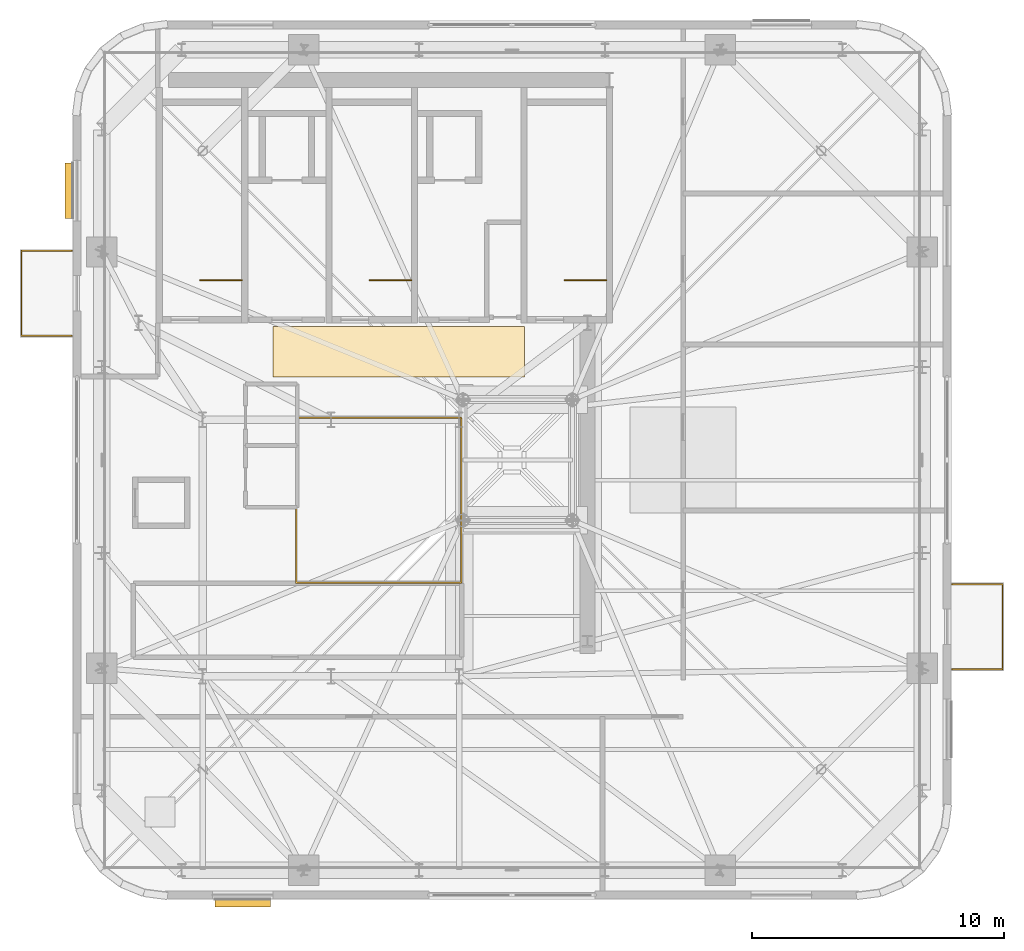
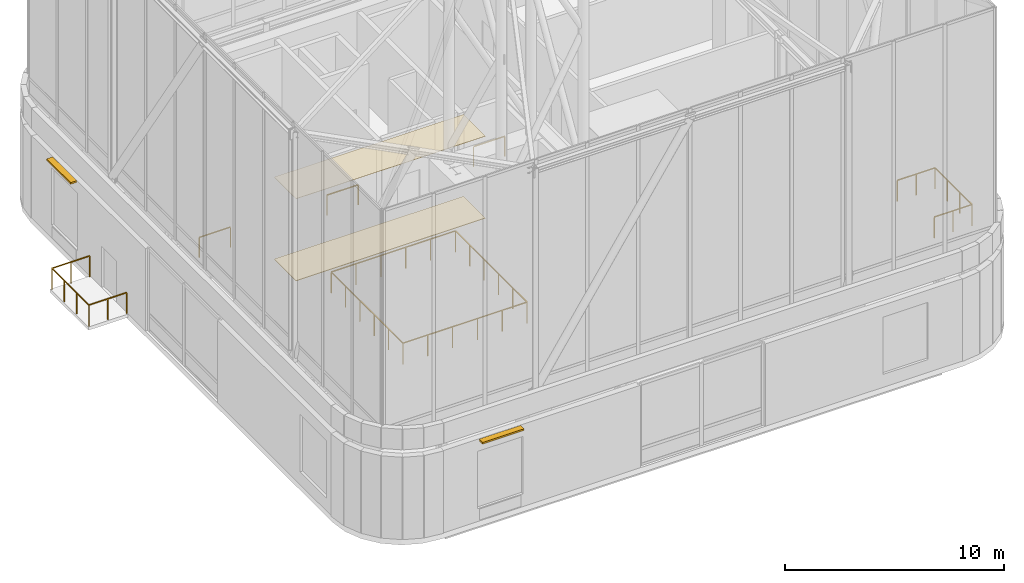
# One storey, part 15 of 15: 6 railings, 2 coverings, 2 shading devices.
"""IFC4 building model written with IfcOpenShell, lengths in metres."""

from ifc_helpers import new_model, si_unit, direction, frame, origin, origin_2d, place, context, subcontext, project, spatial, polyline, rectangle, outline, extrude, source, transform, mapped, material, layer, layer_set, type_object, element, save


model = new_model("IFC4")

# Units and contexts
model_context = context("Model", 3, precision=1e-05, world=origin(), true_north=direction((0.0, 1.0)))
body_context = subcontext(model_context, "Body", "Model", "MODEL_VIEW")
ifc_project = project(units=[si_unit("LENGTHUNIT", "METRE"), si_unit("AREAUNIT", "SQUARE_METRE"), si_unit("VOLUMEUNIT", "CUBIC_METRE"), si_unit("PLANEANGLEUNIT", "RADIAN"), si_unit("MASSUNIT", "GRAM", prefix="KILO")], contexts=[model_context])

# Site, building, storey
site_placement = place(None, origin())
site = spatial("IfcSite", under=ifc_project, at=site_placement, CompositionType="ELEMENT")
building_placement = place(site_placement, origin())
building = spatial("IfcBuilding", under=site, at=building_placement, Name="Vardaveli Station Tower", CompositionType="ELEMENT")
storey_placement = place(building_placement, frame((0.0, 0.0, 301.14990234375)))
storey = spatial("IfcBuildingStorey", under=building, at=storey_placement, Name="L76", CompositionType="ELEMENT", Elevation=301.14990234375)

# Coverings
ifc_material_1 = material(Name="Perforated acoustic mineral ceiling")
ifc_layer_1 = layer(ifc_material_1, 0.02001953125, Name="Perforated acoustic mineral ceiling")
ifc_layer_set_1 = layer_set([ifc_layer_1], Name="Perforated acoustic mineral ceiling")
covering_type_1 = type_object("IfcCoveringType", Name="COV-CEIL-AC20", PredefinedType="CEILING", material=ifc_layer_set_1)
covering_1_placement = place(storey_placement, frame((0.0, 0.0, 4.585205078125)))
element("IfcCovering", 1, at=covering_1_placement, inside=storey, type_object=covering_type_1, Name="CEIL-L76-1", PredefinedType="CEILING", context=body_context, shape_type="SweptSolid", body=[
    extrude(outline(polyline([(34.0, 28.5), (44.0, 28.5), (44.0, 30.5), (34.0, 30.5), (34.0, 28.5)])), origin(), (0.0, 0.0, 1.0), 0.019775390625),
])
ifc_material_2 = material(Name="Honed Caucasian basalt and travertine flooring", Category="masonry")
ifc_layer_2 = layer(ifc_material_2, 0.030029296875, Name="Honed Caucasian basalt and travertine flooring")
ifc_layer_set_2 = layer_set([ifc_layer_2], Name="Honed Caucasian basalt and travertine flooring")
covering_type_2 = type_object("IfcCoveringType", Name="COV-FLOOR-ST30", PredefinedType="FLOORING", material=ifc_layer_set_2)
covering_2_placement = place(storey_placement, origin())
element("IfcCovering", 2, at=covering_2_placement, inside=storey, type_object=covering_type_2, Name="FLR-L76-1", PredefinedType="FLOORING", context=body_context, shape_type="SweptSolid", body=[
    extrude(outline(polyline([(34.0, 28.5), (44.0, 28.5), (44.0, 30.5), (34.0, 30.5), (34.0, 28.5)])), origin(), (0.0, 0.0, 1.0), 0.030029296875),
])

# Shading devices
ifc_material_3 = material(Name="Anodised champagne aluminium sunshade", Category="aluminium")
ifc_layer_3 = layer(ifc_material_3, 0.090087890625, Name="Anodised champagne aluminium sunshade")
ifc_layer_set_3 = layer_set([ifc_layer_3], Name="Anodised champagne aluminium sunshade")
shading_device_type = type_object("IfcShadingDeviceType", Name="SHD-SUNSHADE", PredefinedType="USERDEFINED", material=ifc_layer_set_3)
shared_shape_1 = source(origin(), body_context, "Body", "SweptSolid", [
    extrude(rectangle(XDim=2.199951171875, YDim=0.320068359375, at=origin_2d()), origin(), (0.0, 0.0, 1.0), 0.090087890625),
])
for number, where, z_axis, x_axis, name in (
    (3, (32.79052734375, 7.594970703125, 4.47998046875), (0.0, 0.0, 1.0), (1.0, 0.0, 0.0), "SHD-SS-L76-S"),
    (4, (25.89501953125, 35.909423828125, 4.47998046875), (0.0, 0.0, 1.0), (0.0, 1.0, 0.0), "SHD-SS-L76-W"),
):
    element("IfcShadingDevice", number, at=place(storey_placement, frame(where, z_axis=z_axis, x_axis=x_axis)), inside=storey, type_object=shading_device_type, Name=name, ObjectType="SUNSHADE", PredefinedType="USERDEFINED", context=body_context, shape_type="MappedRepresentation", body=[
        mapped(shared_shape_1, transform((0.0, 0.0, 0.0), scale=1.0)),
    ])

# Railings
ifc_material_4 = material(Name="Laminated glass and stainless steel balustrade", Category="steel")
railing_type_1 = type_object("IfcRailingType", Name="RL-BAL-1200", PredefinedType="BALUSTRADE", material=ifc_material_4)
shared_shape_2 = source(origin(), body_context, "Body", "SweptSolid", [
    extrude(rectangle(XDim=0.048095703125, YDim=0.048095703125, at=origin_2d()), frame((0.0, 0.0, 1.17578125), z_axis=(1.0, 0.0, 0.0), x_axis=(0.0, 1.0, 0.0)), (0.0, 0.0, 1.0), 2.0),
    extrude(rectangle(XDim=0.048095703125, YDim=0.048095703125, at=origin_2d()), frame((2.0, 0.0, 1.17578125), z_axis=(0.0, 1.0, 0.0), x_axis=(-1.0, 0.0, 0.0)), (0.0, 0.0, 1.0), 3.3798828125),
    extrude(rectangle(XDim=0.048095703125, YDim=0.048095703125, at=origin_2d()), frame((2.0, 3.3798828125, 1.17578125), z_axis=(-1.0, 0.0, 0.0), x_axis=(0.0, -1.0, 0.0)), (0.0, 0.0, 1.0), 2.0),
    extrude(rectangle(XDim=0.0419921875, YDim=0.0419921875, at=origin_2d()), origin(), (0.0, 0.0, 1.0), 1.15185546875),
    extrude(rectangle(XDim=0.0419921875, YDim=0.0419921875, at=origin_2d()), frame((1.0, 0.0, 0.0)), (0.0, 0.0, 1.0), 1.15185546875),
    extrude(rectangle(XDim=0.0419921875, YDim=0.0419921875, at=origin_2d()), frame((2.0, 0.0, 0.0)), (0.0, 0.0, 1.0), 1.15185546875),
    extrude(rectangle(XDim=0.0419921875, YDim=0.0419921875, at=origin_2d()), frame((2.0, 1.126708984375, 0.0)), (0.0, 0.0, 1.0), 1.15185546875),
    extrude(rectangle(XDim=0.0419921875, YDim=0.0419921875, at=origin_2d()), frame((2.0, 2.253173828125, 0.0)), (0.0, 0.0, 1.0), 1.15185546875),
    extrude(rectangle(XDim=0.0419921875, YDim=0.0419921875, at=origin_2d()), frame((2.0, 3.3798828125, 0.0)), (0.0, 0.0, 1.0), 1.15185546875),
    extrude(rectangle(XDim=0.0419921875, YDim=0.0419921875, at=origin_2d()), frame((1.0, 3.3798828125, 0.0)), (0.0, 0.0, 1.0), 1.15185546875),
    extrude(rectangle(XDim=0.0419921875, YDim=0.0419921875, at=origin_2d()), frame((0.0, 3.3798828125, 0.0)), (0.0, 0.0, 1.0), 1.15185546875),
])
railing_1_placement = place(storey_placement, frame((61.0, 16.881591796875, 0.0)))
element("IfcRailing", 5, at=railing_1_placement, inside=storey, type_object=railing_type_1, Name="RL-LOG-L76-02", PredefinedType="BALUSTRADE", context=body_context, shape_type="MappedRepresentation", body=[
    mapped(shared_shape_2, transform((0.0, 0.0, 0.0), scale=1.0)),
])
shared_shape_3 = source(origin(), body_context, "Body", "SweptSolid", [
    extrude(rectangle(XDim=0.048095703125, YDim=0.048095703125, at=origin_2d()), frame((0.0, 0.0, 1.17578125), z_axis=(-1.0, 0.0, 0.0), x_axis=(0.0, -1.0, 0.0)), (0.0, 0.0, 1.0), 2.0),
    extrude(rectangle(XDim=0.048095703125, YDim=0.048095703125, at=origin_2d()), frame((-2.0, 0.0, 1.17578125), z_axis=(0.0, 1.0, 0.0), x_axis=(-1.0, 0.0, 0.0)), (0.0, 0.0, 1.0), 3.380126953125),
    extrude(rectangle(XDim=0.048095703125, YDim=0.048095703125, at=origin_2d()), frame((-2.0, 3.380126953125, 1.17578125), z_axis=(1.0, 0.0, 0.0), x_axis=(0.0, 1.0, 0.0)), (0.0, 0.0, 1.0), 2.0),
    extrude(rectangle(XDim=0.0419921875, YDim=0.0419921875, at=origin_2d()), origin(), (0.0, 0.0, 1.0), 1.15185546875),
    extrude(rectangle(XDim=0.0419921875, YDim=0.0419921875, at=origin_2d()), frame((-1.0, 0.0, 0.0)), (0.0, 0.0, 1.0), 1.15185546875),
    extrude(rectangle(XDim=0.0419921875, YDim=0.0419921875, at=origin_2d()), frame((-2.0, 0.0, 0.0)), (0.0, 0.0, 1.0), 1.15185546875),
    extrude(rectangle(XDim=0.0419921875, YDim=0.0419921875, at=origin_2d()), frame((-2.0, 1.126708984375, 0.0)), (0.0, 0.0, 1.0), 1.15185546875),
    extrude(rectangle(XDim=0.0419921875, YDim=0.0419921875, at=origin_2d()), frame((-2.0, 2.25341796875, 0.0)), (0.0, 0.0, 1.0), 1.15185546875),
    extrude(rectangle(XDim=0.0419921875, YDim=0.0419921875, at=origin_2d()), frame((-2.0, 3.380126953125, 0.0)), (0.0, 0.0, 1.0), 1.15185546875),
    extrude(rectangle(XDim=0.0419921875, YDim=0.0419921875, at=origin_2d()), frame((-1.0, 3.380126953125, 0.0)), (0.0, 0.0, 1.0), 1.15185546875),
    extrude(rectangle(XDim=0.0419921875, YDim=0.0419921875, at=origin_2d()), frame((0.0, 3.380126953125, 0.0)), (0.0, 0.0, 1.0), 1.15185546875),
])
railing_2_placement = place(storey_placement, frame((26.0, 30.138427734375, 0.0)))
element("IfcRailing", 6, at=railing_2_placement, inside=storey, type_object=railing_type_1, Name="RL-LOG-L76-01", PredefinedType="BALUSTRADE", context=body_context, shape_type="MappedRepresentation", body=[
    mapped(shared_shape_3, transform((0.0, 0.0, 0.0), scale=1.0)),
])
ifc_material_5 = material(Name="Brushed AISI 316 stainless steel", Category="steel")
railing_type_2 = type_object("IfcRailingType", Name="RL-GUARD-1150", PredefinedType="GUARDRAIL", material=ifc_material_5)
shared_shape_4 = source(origin(), body_context, "Body", "SweptSolid", [
    extrude(rectangle(XDim=0.048095703125, YDim=0.048095703125, at=origin_2d()), frame((0.0, 0.0, 1.1259765625), z_axis=(-1.0, 0.0, 0.0), x_axis=(0.0, -1.0, 0.0)), (0.0, 0.0, 1.0), 1.64990234375),
    extrude(rectangle(XDim=0.0419921875, YDim=0.0419921875, at=origin_2d()), origin(), (0.0, 0.0, 1.0), 1.101806640625),
    extrude(rectangle(XDim=0.0419921875, YDim=0.0419921875, at=origin_2d()), frame((-1.64990234375, 0.0, 0.0)), (0.0, 0.0, 1.0), 1.101806640625),
])
for number, where, name in (
    (7, (32.75, 32.35009765625, 0.0), "L76 ST-1 top well guard 1"),
    (8, (39.5, 32.35009765625, 0.0), "L76 ST-2 top well guard 1"),
    (9, (47.25, 32.35009765625, 0.0), "L76 ST-3 top well guard 1"),
):
    element("IfcRailing", number, at=place(storey_placement, frame(where)), inside=storey, type_object=railing_type_2, Name=name, PredefinedType="GUARDRAIL", context=body_context, shape_type="MappedRepresentation", body=[
        mapped(shared_shape_4, transform((0.0, 0.0, 0.0), scale=1.0)),
    ])
shared_shape_5 = source(origin(), body_context, "Body", "SweptSolid", [
    extrude(rectangle(XDim=0.048095703125, YDim=0.048095703125, at=origin_2d()), frame((0.0, 0.0, 1.17578125), z_axis=(1.0, 0.0, 0.0), x_axis=(0.0, 1.0, 0.0)), (0.0, 0.0, 1.0), 6.56005859375),
    extrude(rectangle(XDim=0.048095703125, YDim=0.048095703125, at=origin_2d()), frame((6.56005859375, 0.0, 1.17578125), z_axis=(0.0, 1.0, 0.0), x_axis=(-1.0, 0.0, 0.0)), (0.0, 0.0, 1.0), 6.559814453125),
    extrude(rectangle(XDim=0.048095703125, YDim=0.048095703125, at=origin_2d()), frame((6.56005859375, 6.559814453125, 1.17578125), z_axis=(-1.0, 0.0, 0.0), x_axis=(0.0, -1.0, 0.0)), (0.0, 0.0, 1.0), 6.56005859375),
    extrude(rectangle(XDim=0.048095703125, YDim=0.048095703125, at=origin_2d()), frame((0.0, 6.559814453125, 1.17578125), z_axis=(0.0, -1.0, 0.0), x_axis=(1.0, 0.0, 0.0)), (0.0, 0.0, 1.0), 6.559814453125),
    extrude(rectangle(XDim=0.0419921875, YDim=0.0419921875, at=origin_2d()), origin(), (0.0, 0.0, 1.0), 1.15185546875),
    extrude(rectangle(XDim=0.0419921875, YDim=0.0419921875, at=origin_2d()), frame((1.31201171875, 0.0, 0.0)), (0.0, 0.0, 1.0), 1.15185546875),
    extrude(rectangle(XDim=0.0419921875, YDim=0.0419921875, at=origin_2d()), frame((2.6240234375, 0.0, 0.0)), (0.0, 0.0, 1.0), 1.15185546875),
    extrude(rectangle(XDim=0.0419921875, YDim=0.0419921875, at=origin_2d()), frame((3.93603515625, 0.0, 0.0)), (0.0, 0.0, 1.0), 1.15185546875),
    extrude(rectangle(XDim=0.0419921875, YDim=0.0419921875, at=origin_2d()), frame((5.248046875, 0.0, 0.0)), (0.0, 0.0, 1.0), 1.15185546875),
    extrude(rectangle(XDim=0.0419921875, YDim=0.0419921875, at=origin_2d()), frame((6.56005859375, 0.0, 0.0)), (0.0, 0.0, 1.0), 1.15185546875),
    extrude(rectangle(XDim=0.0419921875, YDim=0.0419921875, at=origin_2d()), frame((6.56005859375, 1.31201171875, 0.0)), (0.0, 0.0, 1.0), 1.15185546875),
    extrude(rectangle(XDim=0.0419921875, YDim=0.0419921875, at=origin_2d()), frame((6.56005859375, 2.6240234375, 0.0)), (0.0, 0.0, 1.0), 1.15185546875),
    extrude(rectangle(XDim=0.0419921875, YDim=0.0419921875, at=origin_2d()), frame((6.56005859375, 3.935791015625, 0.0)), (0.0, 0.0, 1.0), 1.15185546875),
    extrude(rectangle(XDim=0.0419921875, YDim=0.0419921875, at=origin_2d()), frame((6.56005859375, 5.247802734375, 0.0)), (0.0, 0.0, 1.0), 1.15185546875),
    extrude(rectangle(XDim=0.0419921875, YDim=0.0419921875, at=origin_2d()), frame((6.56005859375, 6.559814453125, 0.0)), (0.0, 0.0, 1.0), 1.15185546875),
    extrude(rectangle(XDim=0.0419921875, YDim=0.0419921875, at=origin_2d()), frame((5.248046875, 6.559814453125, 0.0)), (0.0, 0.0, 1.0), 1.15185546875),
    extrude(rectangle(XDim=0.0419921875, YDim=0.0419921875, at=origin_2d()), frame((3.93603515625, 6.559814453125, 0.0)), (0.0, 0.0, 1.0), 1.15185546875),
    extrude(rectangle(XDim=0.0419921875, YDim=0.0419921875, at=origin_2d()), frame((2.6240234375, 6.559814453125, 0.0)), (0.0, 0.0, 1.0), 1.15185546875),
    extrude(rectangle(XDim=0.0419921875, YDim=0.0419921875, at=origin_2d()), frame((1.31201171875, 6.559814453125, 0.0)), (0.0, 0.0, 1.0), 1.15185546875),
    extrude(rectangle(XDim=0.0419921875, YDim=0.0419921875, at=origin_2d()), frame((0.0, 6.559814453125, 0.0)), (0.0, 0.0, 1.0), 1.15185546875),
    extrude(rectangle(XDim=0.0419921875, YDim=0.0419921875, at=origin_2d()), frame((0.0, 5.247802734375, 0.0)), (0.0, 0.0, 1.0), 1.15185546875),
    extrude(rectangle(XDim=0.0419921875, YDim=0.0419921875, at=origin_2d()), frame((0.0, 3.935791015625, 0.0)), (0.0, 0.0, 1.0), 1.15185546875),
    extrude(rectangle(XDim=0.0419921875, YDim=0.0419921875, at=origin_2d()), frame((0.0, 2.6240234375, 0.0)), (0.0, 0.0, 1.0), 1.15185546875),
    extrude(rectangle(XDim=0.0419921875, YDim=0.0419921875, at=origin_2d()), frame((0.0, 1.31201171875, 0.0)), (0.0, 0.0, 1.0), 1.15185546875),
])
railing_3_placement = place(storey_placement, frame((34.919921875, 20.320068359375, 0.0)))
element("IfcRailing", 10, at=railing_3_placement, inside=storey, type_object=railing_type_1, Name="RL-ATR-L76", PredefinedType="BALUSTRADE", context=body_context, shape_type="MappedRepresentation", body=[
    mapped(shared_shape_5, transform((0.0, 0.0, 0.0), scale=1.0)),
])

save(model, "model.ifc")
